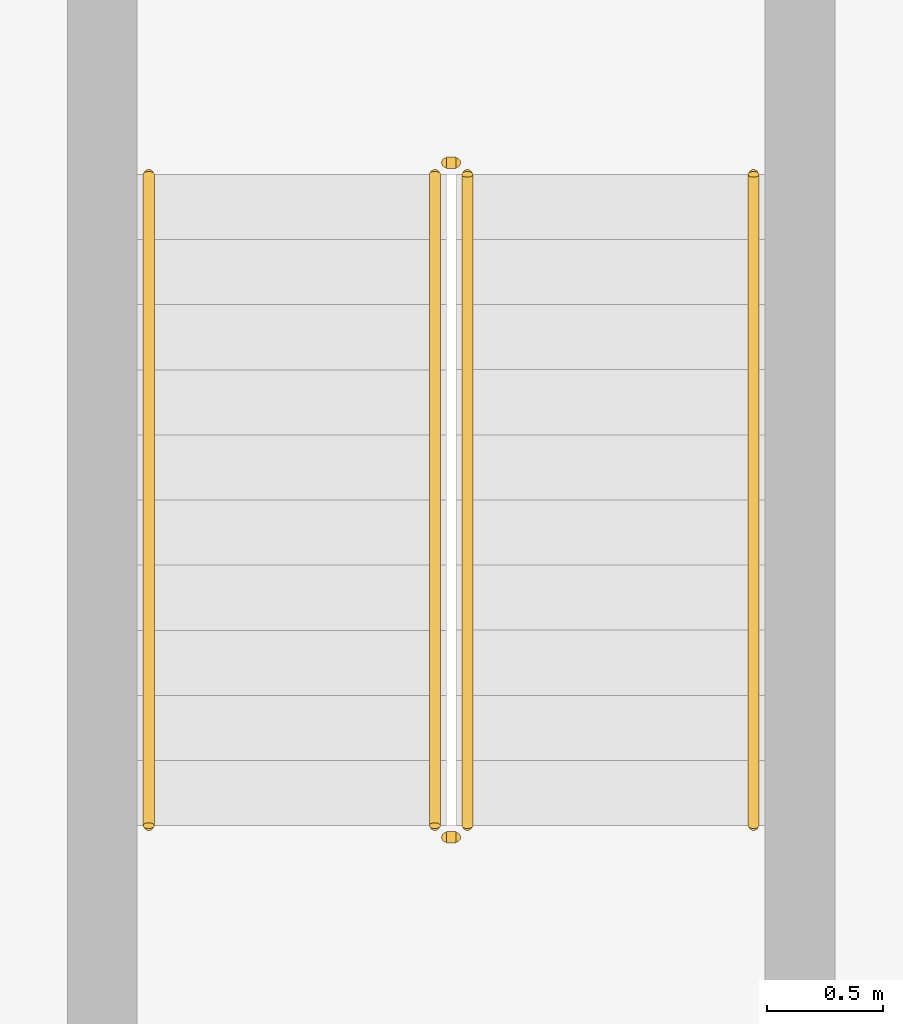
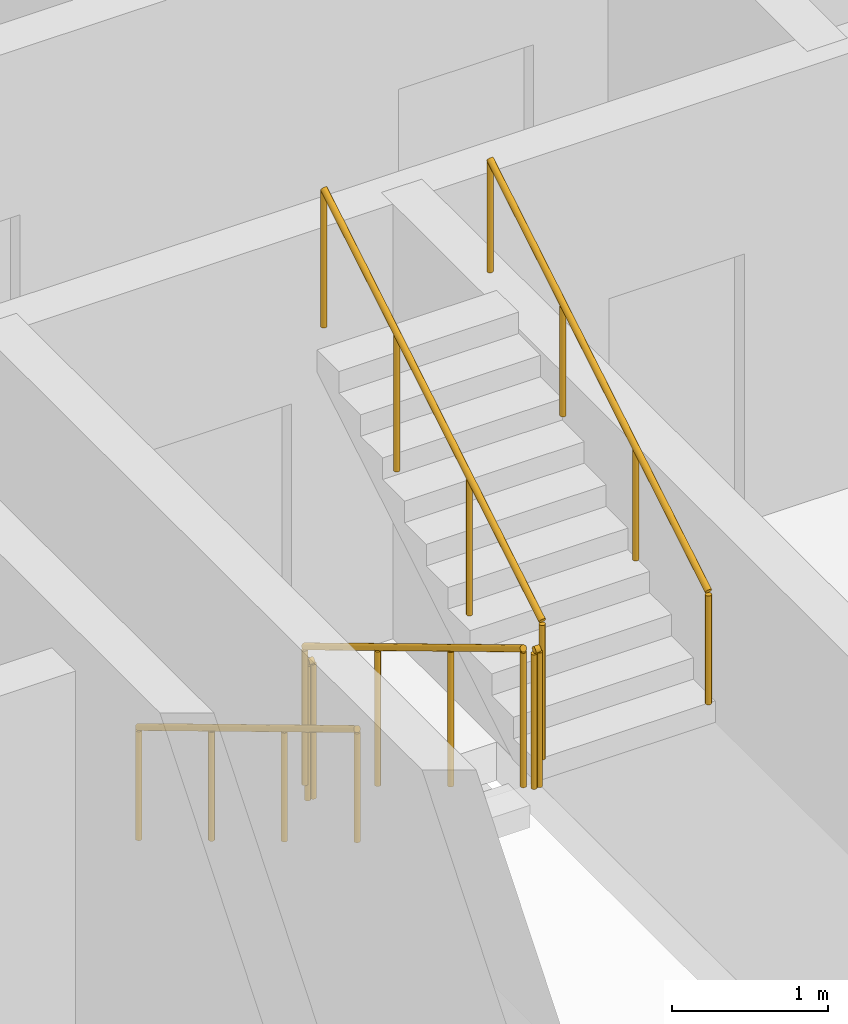
# One storey, part 22 of 23: 6 railings.
"""IFC4 building model written with IfcOpenShell, lengths in metres."""

from ifc_helpers import new_model, si_unit, direction, frame, origin, origin_2d, place, context, subcontext, project, spatial, circle, extrude, material, type_object, element, save


model = new_model("IFC4")

# Units and contexts
model_context = context("Model", 3, precision=1e-05, world=origin(), true_north=direction((0.0, 1.0)))
body_context = subcontext(model_context, "Body", "Model", "MODEL_VIEW")
ifc_project = project(units=[si_unit("LENGTHUNIT", "METRE"), si_unit("AREAUNIT", "SQUARE_METRE"), si_unit("VOLUMEUNIT", "CUBIC_METRE"), si_unit("PLANEANGLEUNIT", "RADIAN"), si_unit("MASSUNIT", "GRAM", prefix="KILO")], contexts=[model_context])

# Site, building, storey
site_placement = place(None, origin())
site = spatial("IfcSite", under=ifc_project, at=site_placement, CompositionType="ELEMENT")
building_placement = place(site_placement, origin())
building = spatial("IfcBuilding", under=site, at=building_placement, Name="Ogive Portal Towers", CompositionType="ELEMENT")
storey_placement = place(building_placement, frame((0.0, 0.0, 186.60009765625)))
storey = spatial("IfcBuildingStorey", under=building, at=storey_placement, Name="L46", CompositionType="ELEMENT", Elevation=186.60009765625)

# Railings
ifc_material_1 = material(Name="Stainless steel balustrade", Category="steel")
railing_type_1 = type_object("IfcRailingType", Name="INT-GUARD", PredefinedType="GUARDRAIL", material=ifc_material_1)
railing_1_placement = place(storey_placement, frame((88.280029296875, 29.169921875, 0.16796875)))
element("IfcRailing", 1, at=railing_1_placement, inside=storey, type_object=railing_type_1, Name="L46 ST-A4 stair guard 1", PredefinedType="GUARDRAIL", context=body_context, shape_type="SweptSolid", body=[
    extrude(circle(Radius=0.02392578125, at=origin_2d()), frame((0.0, 0.0, 1.076171875), z_axis=(0.0, -0.857222391501, 0.514946377315), x_axis=(1.0, 0.0, 0.0)), (0.0, 0.0, 1.0), 3.26611328125),
    extrude(circle(Radius=0.02099609375, at=origin_2d()), origin(), (0.0, 0.0, 1.0), 1.052001953125),
    extrude(circle(Radius=0.02099609375, at=origin_2d()), frame((0.0, -0.933349609375, 0.560546875)), (0.0, 0.0, 1.0), 1.052001953125),
    extrude(circle(Radius=0.02099609375, at=origin_2d()), frame((0.0, -1.866455078125, 1.121337890625)), (0.0, 0.0, 1.0), 1.052001953125),
    extrude(circle(Radius=0.02099609375, at=origin_2d()), frame((0.0, -2.7998046875, 1.681884765625)), (0.0, 0.0, 1.0), 1.052001953125),
])
railing_2_placement = place(storey_placement, frame((88.330078125, 26.320068359375, 1.849853515625)))
element("IfcRailing", 2, at=railing_2_placement, inside=storey, type_object=railing_type_1, Name="L46 ST-A4 stair guard 2", PredefinedType="GUARDRAIL", context=body_context, shape_type="SweptSolid", body=[
    extrude(circle(Radius=0.02392578125, at=origin_2d()), frame((0.0, 0.0, 1.076171875), z_axis=(1.0, 0.0, 0.0), x_axis=(0.0, 1.0, 0.0)), (0.0, 0.0, 1.0), 0.0400390625),
    extrude(circle(Radius=0.02099609375, at=origin_2d()), origin(), (0.0, 0.0, 1.0), 1.052001953125),
    extrude(circle(Radius=0.02099609375, at=origin_2d()), frame((0.0400390625, 0.0, 0.0)), (0.0, 0.0, 1.0), 1.052001953125),
])
railing_3_placement = place(storey_placement, frame((88.419921875, 26.3701171875, 2.01806640625)))
element("IfcRailing", 3, at=railing_3_placement, inside=storey, type_object=railing_type_1, Name="L46 ST-A4 stair guard 3", PredefinedType="GUARDRAIL", context=body_context, shape_type="SweptSolid", body=[
    extrude(circle(Radius=0.02392578125, at=origin_2d()), frame((0.0, 0.0, 1.076171875), z_axis=(0.0, 0.857222391501, 0.514946377315), x_axis=(-1.0, 0.0, 0.0)), (0.0, 0.0, 1.0), 3.26611328125),
    extrude(circle(Radius=0.02099609375, at=origin_2d()), origin(), (0.0, 0.0, 1.0), 1.052001953125),
    extrude(circle(Radius=0.02099609375, at=origin_2d()), frame((0.0, 0.933349609375, 0.560546875)), (0.0, 0.0, 1.0), 1.052001953125),
    extrude(circle(Radius=0.02099609375, at=origin_2d()), frame((0.0, 1.866455078125, 1.121337890625)), (0.0, 0.0, 1.0), 1.052001953125),
    extrude(circle(Radius=0.02099609375, at=origin_2d()), frame((0.0, 2.7998046875, 1.681884765625)), (0.0, 0.0, 1.0), 1.052001953125),
])
railing_4_placement = place(storey_placement, frame((88.330078125, 29.219970703125, 0.0)))
element("IfcRailing", 4, at=railing_4_placement, inside=storey, type_object=railing_type_1, Name="L46 ST-A4 stair guard 4", PredefinedType="GUARDRAIL", context=body_context, shape_type="SweptSolid", body=[
    extrude(circle(Radius=0.02392578125, at=origin_2d()), frame((0.0, 0.0, 1.076171875), z_axis=(1.0, 0.0, 0.0), x_axis=(0.0, 1.0, 0.0)), (0.0, 0.0, 1.0), 0.0400390625),
    extrude(circle(Radius=0.02099609375, at=origin_2d()), origin(), (0.0, 0.0, 1.0), 1.052001953125),
    extrude(circle(Radius=0.02099609375, at=origin_2d()), frame((0.0400390625, 0.0, 0.0)), (0.0, 0.0, 1.0), 1.052001953125),
])
ifc_material_2 = material(Name="Stainless steel handrail", Category="steel")
railing_type_2 = type_object("IfcRailingType", Name="INT-HANDRAIL", PredefinedType="HANDRAIL", material=ifc_material_2)
railing_5_placement = place(storey_placement, frame((87.050048828125, 29.169921875, 0.16796875)))
element("IfcRailing", 5, at=railing_5_placement, inside=storey, type_object=railing_type_2, Name="L46 ST-A4 stair handrail 1", PredefinedType="HANDRAIL", context=body_context, shape_type="SweptSolid", body=[
    extrude(circle(Radius=0.02392578125, at=origin_2d()), frame((0.0, 0.0, 0.8759765625), z_axis=(0.0, -0.857222391501, 0.514946377315), x_axis=(1.0, 0.0, 0.0)), (0.0, 0.0, 1.0), 3.26611328125),
    extrude(circle(Radius=0.02099609375, at=origin_2d()), origin(), (0.0, 0.0, 1.0), 0.851806640625),
    extrude(circle(Radius=0.02099609375, at=origin_2d()), frame((0.0, -0.933349609375, 0.560546875)), (0.0, 0.0, 1.0), 0.851806640625),
    extrude(circle(Radius=0.02099609375, at=origin_2d()), frame((0.0, -1.866455078125, 1.121337890625)), (0.0, 0.0, 1.0), 0.851806640625),
    extrude(circle(Radius=0.02099609375, at=origin_2d()), frame((0.0, -2.7998046875, 1.681884765625)), (0.0, 0.0, 1.0), 0.851806640625),
])
railing_6_placement = place(storey_placement, frame((89.64990234375, 26.3701171875, 2.01806640625)))
element("IfcRailing", 6, at=railing_6_placement, inside=storey, type_object=railing_type_2, Name="L46 ST-A4 stair handrail 2", PredefinedType="HANDRAIL", context=body_context, shape_type="SweptSolid", body=[
    extrude(circle(Radius=0.02392578125, at=origin_2d()), frame((0.0, 0.0, 0.8759765625), z_axis=(0.0, 0.857222391501, 0.514946377315), x_axis=(-1.0, 0.0, 0.0)), (0.0, 0.0, 1.0), 3.26611328125),
    extrude(circle(Radius=0.02099609375, at=origin_2d()), origin(), (0.0, 0.0, 1.0), 0.851806640625),
    extrude(circle(Radius=0.02099609375, at=origin_2d()), frame((0.0, 0.933349609375, 0.560546875)), (0.0, 0.0, 1.0), 0.851806640625),
    extrude(circle(Radius=0.02099609375, at=origin_2d()), frame((0.0, 1.866455078125, 1.121337890625)), (0.0, 0.0, 1.0), 0.851806640625),
    extrude(circle(Radius=0.02099609375, at=origin_2d()), frame((0.0, 2.7998046875, 1.681884765625)), (0.0, 0.0, 1.0), 0.851806640625),
])

save(model, "model.ifc")
